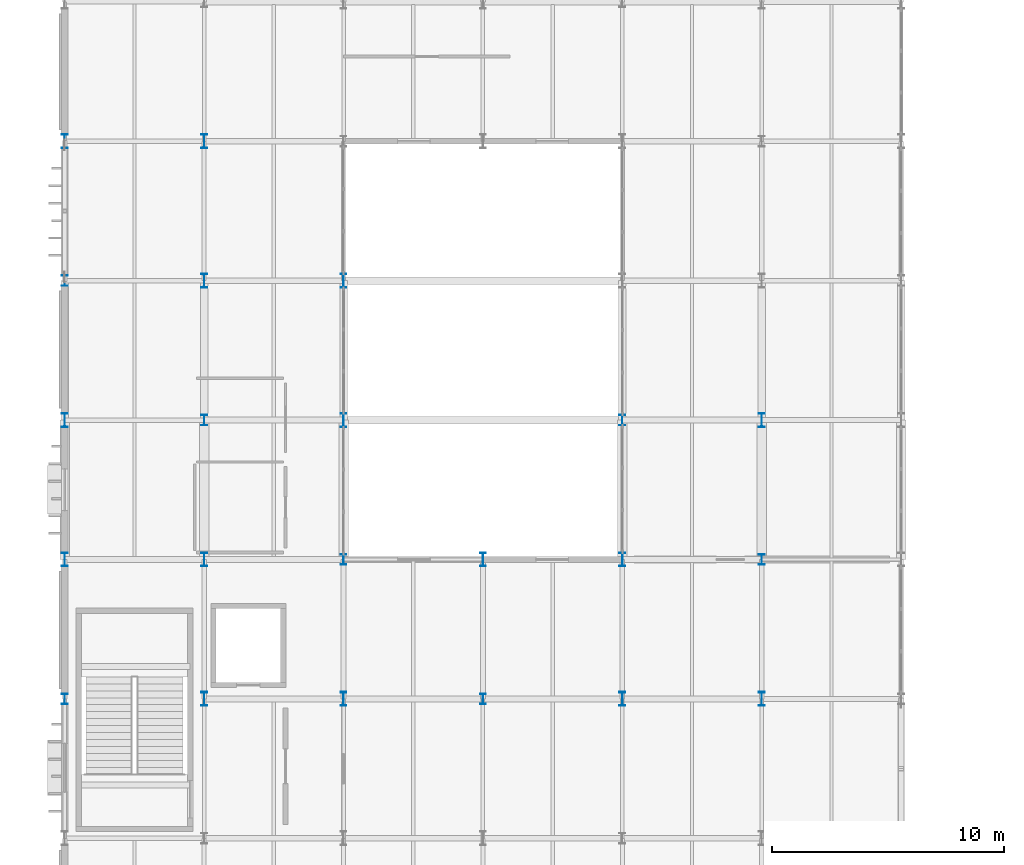
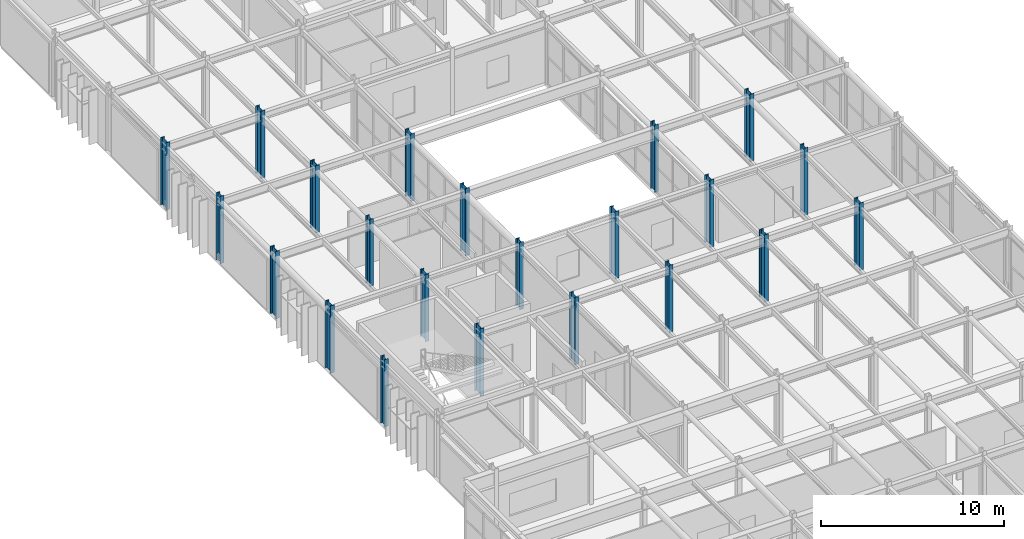
# One storey, part 4 of 96: 22 columns.
"""IFC4 building model written with IfcOpenShell, lengths in metres."""

from ifc_helpers import new_model, si_unit, direction, frame, origin, origin_2d, place, context, subcontext, project, spatial, i_section, extrude, material, material_profile, profile_set, type_object, element, save


model = new_model("IFC4")

# Units and contexts
model_context = context("Model", 3, precision=1e-05, world=origin(), true_north=direction((0.0, 1.0)))
body_context = subcontext(model_context, "Body", "Model", "MODEL_VIEW")
ifc_project = project(units=[si_unit("LENGTHUNIT", "METRE"), si_unit("AREAUNIT", "SQUARE_METRE"), si_unit("VOLUMEUNIT", "CUBIC_METRE"), si_unit("PLANEANGLEUNIT", "RADIAN"), si_unit("MASSUNIT", "GRAM", prefix="KILO")], contexts=[model_context])

# Site, building, storey
site_placement = place(None, origin())
site = spatial("IfcSite", under=ifc_project, at=site_placement, CompositionType="ELEMENT")
building_placement = place(site_placement, origin())
building = spatial("IfcBuilding", under=site, at=building_placement, Name="Varnakota Square Police Headquarters", CompositionType="ELEMENT")
storey_placement = place(building_placement, frame((0.0, 0.0, 4.800048828125)))
storey = spatial("IfcBuildingStorey", under=building, at=storey_placement, Name="L01", CompositionType="ELEMENT", Elevation=4.800048828125)

# Columns
ifc_material = material(Name="Steel IS 2062 Grade 350", Category="steel")
ifc_material_profile_1 = material_profile(ifc_material, i_section(OverallWidth=0.25, OverallDepth=0.449951171875, WebThickness=0.01123046875, FlangeThickness=0.013671875, FilletRadius=0.014892578125, at=origin_2d()), Name="ISHB 450")
ifc_profile_set_1 = profile_set([ifc_material_profile_1], Name="Steel IS 2062 Grade 350")
column_type_1 = type_object("IfcColumnType", Name="COL-ISHB450", PredefinedType="COLUMN", material=ifc_profile_set_1)
for number, where, z_axis, x_axis, name in (
    (1, (6.0, 33.0, 0.0), (0.0, 0.0, 1.0), (1.0, 0.0, 0.0), "Column X0060-Y0330 L01"),
    (2, (6.0, 51.0, 0.0), (0.0, 0.0, 1.0), (1.0, 0.0, 0.0), "Column X0060-Y0510 L01"),
    (3, (12.0, 45.0, 0.0), (0.0, 0.0, 1.0), (1.0, 0.0, 0.0), "Column X0120-Y0450 L01"),
    (4, (18.0, 39.0, 0.0), (0.0, 0.0, 1.0), (1.0, 0.0, 0.0), "Column X0180-Y0390 L01"),
    (5, (24.0, 33.0, 0.0), (0.0, 0.0, 1.0), (1.0, 0.0, 0.0), "Column X0240-Y0330 L01"),
    (6, (30.0, 45.0, 0.0), (0.0, 0.0, 1.0), (1.0, 0.0, 0.0), "Column X0300-Y0450 L01"),
    (7, (36.0, 39.0, 0.0), (0.0, 0.0, 1.0), (1.0, 0.0, 0.0), "Column X0360-Y0390 L01"),
):
    element("IfcColumn", number, at=place(storey_placement, frame(where, z_axis=z_axis, x_axis=x_axis)), inside=storey, type_object=column_type_1, Name=name, PredefinedType="COLUMN", context=body_context, shape_type="SweptSolid", body=[
        extrude(i_section(OverallWidth=0.25, OverallDepth=0.449951171875, WebThickness=0.01123046875, FlangeThickness=0.013671875, FilletRadius=0.014892578125, at=origin_2d()), origin(), (0.0, 0.0, 1.0), 4.5),
    ])
ifc_material_profile_2 = material_profile(ifc_material, i_section(OverallWidth=0.25, OverallDepth=0.60009765625, WebThickness=0.01171875, FlangeThickness=0.023681640625, FilletRadius=0.01708984375, at=origin_2d()), Name="ISWB 600")
ifc_profile_set_2 = profile_set([ifc_material_profile_2], Name="Steel IS 2062 Grade 350")
column_type_2 = type_object("IfcColumnType", Name="COL-ISWB600", PredefinedType="COLUMN", material=ifc_profile_set_2)
for number, where, z_axis, x_axis, name in (
    (8, (6.0, 39.0, 0.0), (0.0, 0.0, 1.0), (1.0, 0.0, 0.0), "Column X0060-Y0390 L01"),
    (9, (6.0, 45.0, 0.0), (0.0, 0.0, 1.0), (1.0, 0.0, 0.0), "Column X0060-Y0450 L01"),
    (10, (6.0, 57.0, 0.0), (0.0, 0.0, 1.0), (1.0, 0.0, 0.0), "Column X0060-Y0570 L01"),
    (11, (12.0, 33.0, 0.0), (0.0, 0.0, 1.0), (1.0, 0.0, 0.0), "Column X0120-Y0330 L01"),
    (12, (12.0, 39.0, 0.0), (0.0, 0.0, 1.0), (1.0, 0.0, 0.0), "Column X0120-Y0390 L01"),
    (13, (12.0, 51.0, 0.0), (0.0, 0.0, 1.0), (1.0, 0.0, 0.0), "Column X0120-Y0510 L01"),
    (14, (12.0, 57.0, 0.0), (0.0, 0.0, 1.0), (1.0, 0.0, 0.0), "Column X0120-Y0570 L01"),
    (15, (18.0, 33.0, 0.0), (0.0, 0.0, 1.0), (1.0, 0.0, 0.0), "Column X0180-Y0330 L01"),
    (16, (18.0, 45.0, 0.0), (0.0, 0.0, 1.0), (1.0, 0.0, 0.0), "Column X0180-Y0450 L01"),
    (17, (18.0, 51.0, 0.0), (0.0, 0.0, 1.0), (1.0, 0.0, 0.0), "Column X0180-Y0510 L01"),
    (18, (24.0, 39.0, 0.0), (0.0, 0.0, 1.0), (1.0, 0.0, 0.0), "Column X0240-Y0390 L01"),
    (19, (30.0, 33.0, 0.0), (0.0, 0.0, 1.0), (1.0, 0.0, 0.0), "Column X0300-Y0330 L01"),
    (20, (30.0, 39.0, 0.0), (0.0, 0.0, 1.0), (1.0, 0.0, 0.0), "Column X0300-Y0390 L01"),
    (21, (36.0, 33.0, 0.0), (0.0, 0.0, 1.0), (1.0, 0.0, 0.0), "Column X0360-Y0330 L01"),
    (22, (36.0, 45.0, 0.0), (0.0, 0.0, 1.0), (1.0, 0.0, 0.0), "Column X0360-Y0450 L01"),
):
    element("IfcColumn", number, at=place(storey_placement, frame(where, z_axis=z_axis, x_axis=x_axis)), inside=storey, type_object=column_type_2, Name=name, PredefinedType="COLUMN", context=body_context, shape_type="SweptSolid", body=[
        extrude(i_section(OverallWidth=0.25, OverallDepth=0.60009765625, WebThickness=0.01171875, FlangeThickness=0.023681640625, FilletRadius=0.01708984375, at=origin_2d()), origin(), (0.0, 0.0, 1.0), 4.5),
    ])

save(model, "model.ifc")
